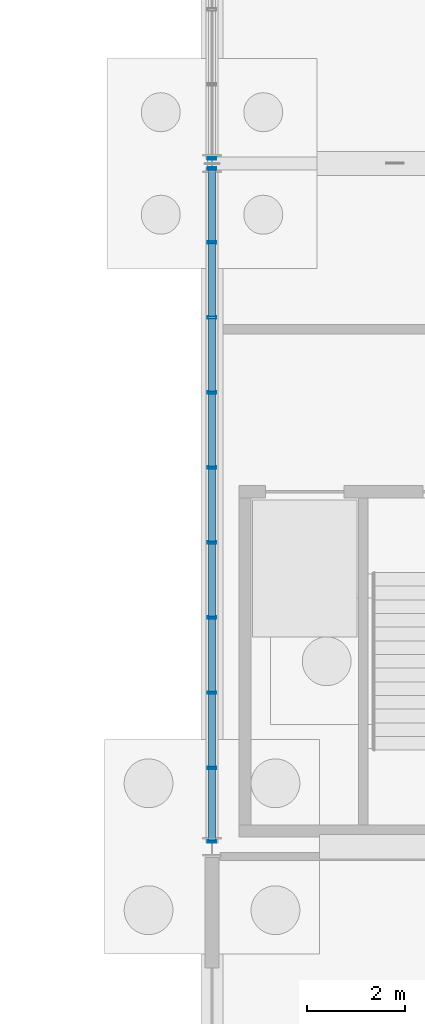
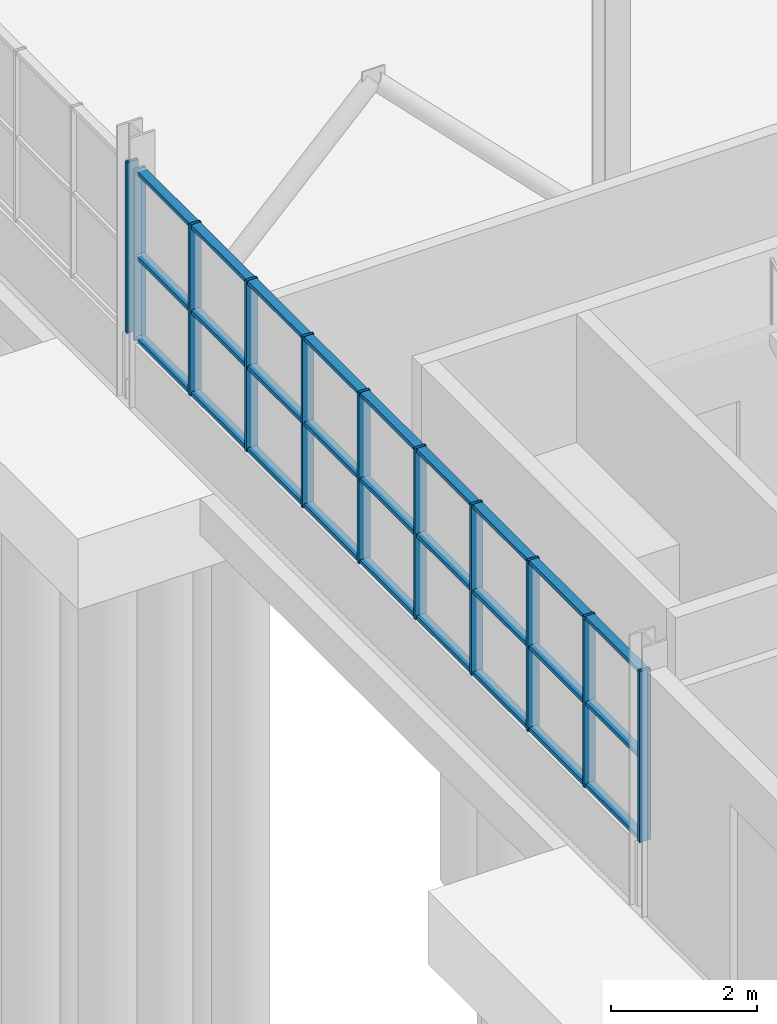
# One storey, part 43 of 136: 38 members, 2 elements without a shape of their own.
"""IFC4 building model written with IfcOpenShell, lengths in metres."""

from ifc_helpers import new_model, si_unit, direction, frame, origin, origin_2d, place, context, subcontext, project, spatial, hollow_rectangle, extrude, material, layer, layer_set, material_profile, profile_set, type_object, element, aggregate, save


model = new_model("IFC4")

# Units and contexts
model_context = context("Model", 3, precision=1e-05, world=origin(), true_north=direction((0.0, 1.0)))
body_context = subcontext(model_context, "Body", "Model", "MODEL_VIEW")
ifc_project = project(units=[si_unit("LENGTHUNIT", "METRE"), si_unit("AREAUNIT", "SQUARE_METRE"), si_unit("VOLUMEUNIT", "CUBIC_METRE"), si_unit("PLANEANGLEUNIT", "RADIAN"), si_unit("MASSUNIT", "GRAM", prefix="KILO")], contexts=[model_context])

# Site, building, storey
site_placement = place(None, origin())
site = spatial("IfcSite", under=ifc_project, at=site_placement, CompositionType="ELEMENT")
building_placement = place(site_placement, origin())
building = spatial("IfcBuilding", under=site, at=building_placement, Name="Solvenia Promenade Tram Depot", CompositionType="ELEMENT")
storey_placement = place(building_placement, origin())
storey = spatial("IfcBuildingStorey", under=building, at=storey_placement, Name="L00", CompositionType="ELEMENT", Elevation=0.0)

# Curtain wall, members
ifc_material = material(Name="Anodized aluminium AW-6063 T6", Category="aluminium")
ifc_layer = layer(ifc_material, 0.14990234375, Name="Anodized aluminium AW-6063 T6", Category="aluminium")
ifc_layer_set = layer_set([ifc_layer], Name="Anodized aluminium AW-6063 T6")
curtain_wall_type = type_object("IfcCurtainWallType", Name="CW-Court-1500", PredefinedType="NOTDEFINED", material=ifc_layer_set)
curtain_wall_1_placement = place(storey_placement, origin())
curtain_wall_1 = element("IfcCurtainWall", 1, at=curtain_wall_1_placement, inside=storey, type_object=curtain_wall_type, Name="Curtain Wall CW-V2W-L0-1", PredefinedType="NOTDEFINED")
ifc_material_profile_1 = material_profile(ifc_material, hollow_rectangle(XDim=0.179931640625, YDim=0.050048828125, WallThickness=0.00390625, at=origin_2d()), Name="ALU-M2", Category="aluminium")
ifc_profile_set_1 = profile_set([ifc_material_profile_1], Name="Anodized aluminium AW-6063 T6")
member_type_1 = type_object("IfcMemberType", Name="CWM-Mullion-2", PredefinedType="MULLION", material=ifc_profile_set_1)
member_1_placement = place(storey_placement, frame((105.0, 38.10498046875, 1.050048828125), z_axis=(0.0, 0.0, 1.0), x_axis=(-1.0, 0.0, 0.0)))
member_1 = element("IfcMember", 2, at=member_1_placement, type_object=member_type_1, Name="CW-5 mullion 1", PredefinedType="MULLION", context=body_context, shape_type="SweptSolid", body=[
    extrude(hollow_rectangle(XDim=0.179931640625, YDim=0.050048828125, WallThickness=0.00390625, at=origin_2d()), origin(), (0.0, 0.0, 1.0), 2.849853515625),
])
member_2_placement = place(storey_placement, frame((105.0, 39.61767578125, 1.050048828125), z_axis=(0.0, 0.0, 1.0), x_axis=(-1.0, 0.0, 0.0)))
member_2 = element("IfcMember", 3, at=member_2_placement, type_object=member_type_1, Name="CW-5 mullion 2", PredefinedType="MULLION", context=body_context, shape_type="SweptSolid", body=[
    extrude(hollow_rectangle(XDim=0.179931640625, YDim=0.050048828125, WallThickness=0.00390625, at=origin_2d()), origin(), (0.0, 0.0, 1.0), 2.849853515625),
])
member_3_placement = place(storey_placement, frame((105.0, 41.155517578125, 1.050048828125), z_axis=(0.0, 0.0, 1.0), x_axis=(-1.0, 0.0, 0.0)))
member_3 = element("IfcMember", 4, at=member_3_placement, type_object=member_type_1, Name="CW-5 mullion 3", PredefinedType="MULLION", context=body_context, shape_type="SweptSolid", body=[
    extrude(hollow_rectangle(XDim=0.179931640625, YDim=0.050048828125, WallThickness=0.00390625, at=origin_2d()), origin(), (0.0, 0.0, 1.0), 2.849853515625),
])
member_4_placement = place(storey_placement, frame((105.0, 42.693359375, 1.050048828125), z_axis=(0.0, 0.0, 1.0), x_axis=(-1.0, 0.0, 0.0)))
member_4 = element("IfcMember", 5, at=member_4_placement, type_object=member_type_1, Name="CW-5 mullion 4", PredefinedType="MULLION", context=body_context, shape_type="SweptSolid", body=[
    extrude(hollow_rectangle(XDim=0.179931640625, YDim=0.050048828125, WallThickness=0.00390625, at=origin_2d()), origin(), (0.0, 0.0, 1.0), 2.849853515625),
])
member_5_placement = place(storey_placement, frame((105.0, 44.231201171875, 1.050048828125), z_axis=(0.0, 0.0, 1.0), x_axis=(-1.0, 0.0, 0.0)))
member_5 = element("IfcMember", 6, at=member_5_placement, type_object=member_type_1, Name="CW-5 mullion 5", PredefinedType="MULLION", context=body_context, shape_type="SweptSolid", body=[
    extrude(hollow_rectangle(XDim=0.179931640625, YDim=0.050048828125, WallThickness=0.00390625, at=origin_2d()), origin(), (0.0, 0.0, 1.0), 2.849853515625),
])
member_6_placement = place(storey_placement, frame((105.0, 45.768798828125, 1.050048828125), z_axis=(0.0, 0.0, 1.0), x_axis=(-1.0, 0.0, 0.0)))
member_6 = element("IfcMember", 7, at=member_6_placement, type_object=member_type_1, Name="CW-5 mullion 6", PredefinedType="MULLION", context=body_context, shape_type="SweptSolid", body=[
    extrude(hollow_rectangle(XDim=0.179931640625, YDim=0.050048828125, WallThickness=0.00390625, at=origin_2d()), origin(), (0.0, 0.0, 1.0), 2.849853515625),
])
member_7_placement = place(storey_placement, frame((105.0, 47.306640625, 1.050048828125), z_axis=(0.0, 0.0, 1.0), x_axis=(-1.0, 0.0, 0.0)))
member_7 = element("IfcMember", 8, at=member_7_placement, type_object=member_type_1, Name="CW-5 mullion 7", PredefinedType="MULLION", context=body_context, shape_type="SweptSolid", body=[
    extrude(hollow_rectangle(XDim=0.179931640625, YDim=0.050048828125, WallThickness=0.00390625, at=origin_2d()), origin(), (0.0, 0.0, 1.0), 2.849853515625),
])
member_8_placement = place(storey_placement, frame((105.0, 48.844482421875, 1.050048828125), z_axis=(0.0, 0.0, 1.0), x_axis=(-1.0, 0.0, 0.0)))
member_8 = element("IfcMember", 9, at=member_8_placement, type_object=member_type_1, Name="CW-5 mullion 8", PredefinedType="MULLION", context=body_context, shape_type="SweptSolid", body=[
    extrude(hollow_rectangle(XDim=0.179931640625, YDim=0.050048828125, WallThickness=0.00390625, at=origin_2d()), origin(), (0.0, 0.0, 1.0), 2.849853515625),
])
member_9_placement = place(storey_placement, frame((105.0, 50.38232421875, 1.050048828125), z_axis=(0.0, 0.0, 1.0), x_axis=(-1.0, 0.0, 0.0)))
member_9 = element("IfcMember", 10, at=member_9_placement, type_object=member_type_1, Name="CW-5 mullion 9", PredefinedType="MULLION", context=body_context, shape_type="SweptSolid", body=[
    extrude(hollow_rectangle(XDim=0.179931640625, YDim=0.050048828125, WallThickness=0.00390625, at=origin_2d()), origin(), (0.0, 0.0, 1.0), 2.849853515625),
])
member_10_placement = place(storey_placement, frame((105.0, 51.89501953125, 1.050048828125), z_axis=(0.0, 0.0, 1.0), x_axis=(-1.0, 0.0, 0.0)))
member_10 = element("IfcMember", 11, at=member_10_placement, type_object=member_type_1, Name="CW-5 mullion 10", PredefinedType="MULLION", context=body_context, shape_type="SweptSolid", body=[
    extrude(hollow_rectangle(XDim=0.179931640625, YDim=0.050048828125, WallThickness=0.00390625, at=origin_2d()), origin(), (0.0, 0.0, 1.0), 2.849853515625),
])

# Curtain wall, member
curtain_wall_2_placement = place(storey_placement, origin())
curtain_wall_2 = element("IfcCurtainWall", 12, at=curtain_wall_2_placement, inside=storey, type_object=curtain_wall_type, Name="Curtain Wall CW-V2W-L0-2", PredefinedType="NOTDEFINED")
member_11_placement = place(storey_placement, frame((105.0, 52.10498046875, 1.050048828125), z_axis=(0.0, 0.0, 1.0), x_axis=(-1.0, 0.0, 0.0)))
member_11 = element("IfcMember", 13, at=member_11_placement, type_object=member_type_1, Name="CW-5 mullion 1", PredefinedType="MULLION", context=body_context, shape_type="SweptSolid", body=[
    extrude(hollow_rectangle(XDim=0.179931640625, YDim=0.050048828125, WallThickness=0.00390625, at=origin_2d()), origin(), (0.0, 0.0, 1.0), 2.849853515625),
])
aggregate(curtain_wall_2, [member_11])

# Member
ifc_material_profile_2 = material_profile(ifc_material, hollow_rectangle(XDim=0.139892578125, YDim=0.06494140625, WallThickness=0.00390625, at=origin_2d()), Name="ALU-T2", Category="aluminium")
ifc_profile_set_2 = profile_set([ifc_material_profile_2], Name="Anodized aluminium AW-6063 T6")
member_type_2 = type_object("IfcMemberType", Name="CWT-Transom-2", PredefinedType="USERDEFINED", material=ifc_profile_set_2)
member_12_placement = place(storey_placement, frame((105.0, 38.1298828125, 1.08251953125), z_axis=(0.0, 1.0, 0.0), x_axis=(-1.0, 0.0, 0.0)))
member_12 = element("IfcMember", 14, at=member_12_placement, type_object=member_type_2, Name="CW-5 transom 1.1", ObjectType="TRANSOM", PredefinedType="USERDEFINED", context=body_context, shape_type="SweptSolid", body=[
    extrude(hollow_rectangle(XDim=0.139892578125, YDim=0.06494140625, WallThickness=0.00390625, at=origin_2d()), origin(), (0.0, 0.0, 1.0), 1.462890625),
])

member_13_placement = place(storey_placement, frame((105.0, 38.1298828125, 2.449951171875), z_axis=(0.0, 1.0, 0.0), x_axis=(-1.0, 0.0, 0.0)))
member_13 = element("IfcMember", 15, at=member_13_placement, type_object=member_type_2, Name="CW-5 transom 1.2", ObjectType="TRANSOM", PredefinedType="USERDEFINED", context=body_context, shape_type="SweptSolid", body=[
    extrude(hollow_rectangle(XDim=0.139892578125, YDim=0.06494140625, WallThickness=0.00390625, at=origin_2d()), origin(), (0.0, 0.0, 1.0), 1.462890625),
])

member_14_placement = place(storey_placement, frame((105.0, 38.1298828125, 3.867431640625), z_axis=(0.0, 1.0, 0.0), x_axis=(-1.0, 0.0, 0.0)))
member_14 = element("IfcMember", 16, at=member_14_placement, type_object=member_type_2, Name="CW-5 transom 1.3", ObjectType="TRANSOM", PredefinedType="USERDEFINED", context=body_context, shape_type="SweptSolid", body=[
    extrude(hollow_rectangle(XDim=0.139892578125, YDim=0.06494140625, WallThickness=0.00390625, at=origin_2d()), origin(), (0.0, 0.0, 1.0), 1.462890625),
])

member_15_placement = place(storey_placement, frame((105.0, 39.642822265625, 1.08251953125), z_axis=(0.0, 1.0, 0.0), x_axis=(-1.0, 0.0, 0.0)))
member_15 = element("IfcMember", 17, at=member_15_placement, type_object=member_type_2, Name="CW-5 transom 2.1", ObjectType="TRANSOM", PredefinedType="USERDEFINED", context=body_context, shape_type="SweptSolid", body=[
    extrude(hollow_rectangle(XDim=0.139892578125, YDim=0.06494140625, WallThickness=0.00390625, at=origin_2d()), origin(), (0.0, 0.0, 1.0), 1.48779296875),
])

member_16_placement = place(storey_placement, frame((105.0, 39.642822265625, 2.449951171875), z_axis=(0.0, 1.0, 0.0), x_axis=(-1.0, 0.0, 0.0)))
member_16 = element("IfcMember", 18, at=member_16_placement, type_object=member_type_2, Name="CW-5 transom 2.2", ObjectType="TRANSOM", PredefinedType="USERDEFINED", context=body_context, shape_type="SweptSolid", body=[
    extrude(hollow_rectangle(XDim=0.139892578125, YDim=0.06494140625, WallThickness=0.00390625, at=origin_2d()), origin(), (0.0, 0.0, 1.0), 1.48779296875),
])

member_17_placement = place(storey_placement, frame((105.0, 39.642822265625, 3.867431640625), z_axis=(0.0, 1.0, 0.0), x_axis=(-1.0, 0.0, 0.0)))
member_17 = element("IfcMember", 19, at=member_17_placement, type_object=member_type_2, Name="CW-5 transom 2.3", ObjectType="TRANSOM", PredefinedType="USERDEFINED", context=body_context, shape_type="SweptSolid", body=[
    extrude(hollow_rectangle(XDim=0.139892578125, YDim=0.06494140625, WallThickness=0.00390625, at=origin_2d()), origin(), (0.0, 0.0, 1.0), 1.48779296875),
])

member_18_placement = place(storey_placement, frame((105.0, 41.1806640625, 1.08251953125), z_axis=(0.0, 1.0, 0.0), x_axis=(-1.0, 0.0, 0.0)))
member_18 = element("IfcMember", 20, at=member_18_placement, type_object=member_type_2, Name="CW-5 transom 3.1", ObjectType="TRANSOM", PredefinedType="USERDEFINED", context=body_context, shape_type="SweptSolid", body=[
    extrude(hollow_rectangle(XDim=0.139892578125, YDim=0.06494140625, WallThickness=0.00390625, at=origin_2d()), origin(), (0.0, 0.0, 1.0), 1.487548828125),
])

member_19_placement = place(storey_placement, frame((105.0, 41.1806640625, 2.449951171875), z_axis=(0.0, 1.0, 0.0), x_axis=(-1.0, 0.0, 0.0)))
member_19 = element("IfcMember", 21, at=member_19_placement, type_object=member_type_2, Name="CW-5 transom 3.2", ObjectType="TRANSOM", PredefinedType="USERDEFINED", context=body_context, shape_type="SweptSolid", body=[
    extrude(hollow_rectangle(XDim=0.139892578125, YDim=0.06494140625, WallThickness=0.00390625, at=origin_2d()), origin(), (0.0, 0.0, 1.0), 1.487548828125),
])

member_20_placement = place(storey_placement, frame((105.0, 41.1806640625, 3.867431640625), z_axis=(0.0, 1.0, 0.0), x_axis=(-1.0, 0.0, 0.0)))
member_20 = element("IfcMember", 22, at=member_20_placement, type_object=member_type_2, Name="CW-5 transom 3.3", ObjectType="TRANSOM", PredefinedType="USERDEFINED", context=body_context, shape_type="SweptSolid", body=[
    extrude(hollow_rectangle(XDim=0.139892578125, YDim=0.06494140625, WallThickness=0.00390625, at=origin_2d()), origin(), (0.0, 0.0, 1.0), 1.487548828125),
])

member_21_placement = place(storey_placement, frame((105.0, 42.71826171875, 1.08251953125), z_axis=(0.0, 1.0, 0.0), x_axis=(-1.0, 0.0, 0.0)))
member_21 = element("IfcMember", 23, at=member_21_placement, type_object=member_type_2, Name="CW-5 transom 4.1", ObjectType="TRANSOM", PredefinedType="USERDEFINED", context=body_context, shape_type="SweptSolid", body=[
    extrude(hollow_rectangle(XDim=0.139892578125, YDim=0.06494140625, WallThickness=0.00390625, at=origin_2d()), origin(), (0.0, 0.0, 1.0), 1.48779296875),
])

member_22_placement = place(storey_placement, frame((105.0, 42.71826171875, 2.449951171875), z_axis=(0.0, 1.0, 0.0), x_axis=(-1.0, 0.0, 0.0)))
member_22 = element("IfcMember", 24, at=member_22_placement, type_object=member_type_2, Name="CW-5 transom 4.2", ObjectType="TRANSOM", PredefinedType="USERDEFINED", context=body_context, shape_type="SweptSolid", body=[
    extrude(hollow_rectangle(XDim=0.139892578125, YDim=0.06494140625, WallThickness=0.00390625, at=origin_2d()), origin(), (0.0, 0.0, 1.0), 1.48779296875),
])

member_23_placement = place(storey_placement, frame((105.0, 42.71826171875, 3.867431640625), z_axis=(0.0, 1.0, 0.0), x_axis=(-1.0, 0.0, 0.0)))
member_23 = element("IfcMember", 25, at=member_23_placement, type_object=member_type_2, Name="CW-5 transom 4.3", ObjectType="TRANSOM", PredefinedType="USERDEFINED", context=body_context, shape_type="SweptSolid", body=[
    extrude(hollow_rectangle(XDim=0.139892578125, YDim=0.06494140625, WallThickness=0.00390625, at=origin_2d()), origin(), (0.0, 0.0, 1.0), 1.48779296875),
])

member_24_placement = place(storey_placement, frame((105.0, 44.256103515625, 1.08251953125), z_axis=(0.0, 1.0, 0.0), x_axis=(-1.0, 0.0, 0.0)))
member_24 = element("IfcMember", 26, at=member_24_placement, type_object=member_type_2, Name="CW-5 transom 5.1", ObjectType="TRANSOM", PredefinedType="USERDEFINED", context=body_context, shape_type="SweptSolid", body=[
    extrude(hollow_rectangle(XDim=0.139892578125, YDim=0.06494140625, WallThickness=0.00390625, at=origin_2d()), origin(), (0.0, 0.0, 1.0), 1.48779296875),
])

member_25_placement = place(storey_placement, frame((105.0, 44.256103515625, 2.449951171875), z_axis=(0.0, 1.0, 0.0), x_axis=(-1.0, 0.0, 0.0)))
member_25 = element("IfcMember", 27, at=member_25_placement, type_object=member_type_2, Name="CW-5 transom 5.2", ObjectType="TRANSOM", PredefinedType="USERDEFINED", context=body_context, shape_type="SweptSolid", body=[
    extrude(hollow_rectangle(XDim=0.139892578125, YDim=0.06494140625, WallThickness=0.00390625, at=origin_2d()), origin(), (0.0, 0.0, 1.0), 1.48779296875),
])

member_26_placement = place(storey_placement, frame((105.0, 44.256103515625, 3.867431640625), z_axis=(0.0, 1.0, 0.0), x_axis=(-1.0, 0.0, 0.0)))
member_26 = element("IfcMember", 28, at=member_26_placement, type_object=member_type_2, Name="CW-5 transom 5.3", ObjectType="TRANSOM", PredefinedType="USERDEFINED", context=body_context, shape_type="SweptSolid", body=[
    extrude(hollow_rectangle(XDim=0.139892578125, YDim=0.06494140625, WallThickness=0.00390625, at=origin_2d()), origin(), (0.0, 0.0, 1.0), 1.48779296875),
])

member_27_placement = place(storey_placement, frame((105.0, 45.7939453125, 1.08251953125), z_axis=(0.0, 1.0, 0.0), x_axis=(-1.0, 0.0, 0.0)))
member_27 = element("IfcMember", 29, at=member_27_placement, type_object=member_type_2, Name="CW-5 transom 6.1", ObjectType="TRANSOM", PredefinedType="USERDEFINED", context=body_context, shape_type="SweptSolid", body=[
    extrude(hollow_rectangle(XDim=0.139892578125, YDim=0.06494140625, WallThickness=0.00390625, at=origin_2d()), origin(), (0.0, 0.0, 1.0), 1.48779296875),
])

member_28_placement = place(storey_placement, frame((105.0, 45.7939453125, 2.449951171875), z_axis=(0.0, 1.0, 0.0), x_axis=(-1.0, 0.0, 0.0)))
member_28 = element("IfcMember", 30, at=member_28_placement, type_object=member_type_2, Name="CW-5 transom 6.2", ObjectType="TRANSOM", PredefinedType="USERDEFINED", context=body_context, shape_type="SweptSolid", body=[
    extrude(hollow_rectangle(XDim=0.139892578125, YDim=0.06494140625, WallThickness=0.00390625, at=origin_2d()), origin(), (0.0, 0.0, 1.0), 1.48779296875),
])

member_29_placement = place(storey_placement, frame((105.0, 45.7939453125, 3.867431640625), z_axis=(0.0, 1.0, 0.0), x_axis=(-1.0, 0.0, 0.0)))
member_29 = element("IfcMember", 31, at=member_29_placement, type_object=member_type_2, Name="CW-5 transom 6.3", ObjectType="TRANSOM", PredefinedType="USERDEFINED", context=body_context, shape_type="SweptSolid", body=[
    extrude(hollow_rectangle(XDim=0.139892578125, YDim=0.06494140625, WallThickness=0.00390625, at=origin_2d()), origin(), (0.0, 0.0, 1.0), 1.48779296875),
])

member_30_placement = place(storey_placement, frame((105.0, 47.331787109375, 1.08251953125), z_axis=(0.0, 1.0, 0.0), x_axis=(-1.0, 0.0, 0.0)))
member_30 = element("IfcMember", 32, at=member_30_placement, type_object=member_type_2, Name="CW-5 transom 7.1", ObjectType="TRANSOM", PredefinedType="USERDEFINED", context=body_context, shape_type="SweptSolid", body=[
    extrude(hollow_rectangle(XDim=0.139892578125, YDim=0.06494140625, WallThickness=0.00390625, at=origin_2d()), origin(), (0.0, 0.0, 1.0), 1.487548828125),
])

member_31_placement = place(storey_placement, frame((105.0, 47.331787109375, 2.449951171875), z_axis=(0.0, 1.0, 0.0), x_axis=(-1.0, 0.0, 0.0)))
member_31 = element("IfcMember", 33, at=member_31_placement, type_object=member_type_2, Name="CW-5 transom 7.2", ObjectType="TRANSOM", PredefinedType="USERDEFINED", context=body_context, shape_type="SweptSolid", body=[
    extrude(hollow_rectangle(XDim=0.139892578125, YDim=0.06494140625, WallThickness=0.00390625, at=origin_2d()), origin(), (0.0, 0.0, 1.0), 1.487548828125),
])

member_32_placement = place(storey_placement, frame((105.0, 47.331787109375, 3.867431640625), z_axis=(0.0, 1.0, 0.0), x_axis=(-1.0, 0.0, 0.0)))
member_32 = element("IfcMember", 34, at=member_32_placement, type_object=member_type_2, Name="CW-5 transom 7.3", ObjectType="TRANSOM", PredefinedType="USERDEFINED", context=body_context, shape_type="SweptSolid", body=[
    extrude(hollow_rectangle(XDim=0.139892578125, YDim=0.06494140625, WallThickness=0.00390625, at=origin_2d()), origin(), (0.0, 0.0, 1.0), 1.487548828125),
])

member_33_placement = place(storey_placement, frame((105.0, 48.869384765625, 1.08251953125), z_axis=(0.0, 1.0, 0.0), x_axis=(-1.0, 0.0, 0.0)))
member_33 = element("IfcMember", 35, at=member_33_placement, type_object=member_type_2, Name="CW-5 transom 8.1", ObjectType="TRANSOM", PredefinedType="USERDEFINED", context=body_context, shape_type="SweptSolid", body=[
    extrude(hollow_rectangle(XDim=0.139892578125, YDim=0.06494140625, WallThickness=0.00390625, at=origin_2d()), origin(), (0.0, 0.0, 1.0), 1.48779296875),
])

member_34_placement = place(storey_placement, frame((105.0, 48.869384765625, 2.449951171875), z_axis=(0.0, 1.0, 0.0), x_axis=(-1.0, 0.0, 0.0)))
member_34 = element("IfcMember", 36, at=member_34_placement, type_object=member_type_2, Name="CW-5 transom 8.2", ObjectType="TRANSOM", PredefinedType="USERDEFINED", context=body_context, shape_type="SweptSolid", body=[
    extrude(hollow_rectangle(XDim=0.139892578125, YDim=0.06494140625, WallThickness=0.00390625, at=origin_2d()), origin(), (0.0, 0.0, 1.0), 1.48779296875),
])

member_35_placement = place(storey_placement, frame((105.0, 48.869384765625, 3.867431640625), z_axis=(0.0, 1.0, 0.0), x_axis=(-1.0, 0.0, 0.0)))
member_35 = element("IfcMember", 37, at=member_35_placement, type_object=member_type_2, Name="CW-5 transom 8.3", ObjectType="TRANSOM", PredefinedType="USERDEFINED", context=body_context, shape_type="SweptSolid", body=[
    extrude(hollow_rectangle(XDim=0.139892578125, YDim=0.06494140625, WallThickness=0.00390625, at=origin_2d()), origin(), (0.0, 0.0, 1.0), 1.48779296875),
])

member_36_placement = place(storey_placement, frame((105.0, 50.4072265625, 1.08251953125), z_axis=(0.0, 1.0, 0.0), x_axis=(-1.0, 0.0, 0.0)))
member_36 = element("IfcMember", 38, at=member_36_placement, type_object=member_type_2, Name="CW-5 transom 9.1", ObjectType="TRANSOM", PredefinedType="USERDEFINED", context=body_context, shape_type="SweptSolid", body=[
    extrude(hollow_rectangle(XDim=0.139892578125, YDim=0.06494140625, WallThickness=0.00390625, at=origin_2d()), origin(), (0.0, 0.0, 1.0), 1.462890625),
])

member_37_placement = place(storey_placement, frame((105.0, 50.4072265625, 2.449951171875), z_axis=(0.0, 1.0, 0.0), x_axis=(-1.0, 0.0, 0.0)))
member_37 = element("IfcMember", 39, at=member_37_placement, type_object=member_type_2, Name="CW-5 transom 9.2", ObjectType="TRANSOM", PredefinedType="USERDEFINED", context=body_context, shape_type="SweptSolid", body=[
    extrude(hollow_rectangle(XDim=0.139892578125, YDim=0.06494140625, WallThickness=0.00390625, at=origin_2d()), origin(), (0.0, 0.0, 1.0), 1.462890625),
])

member_38_placement = place(storey_placement, frame((105.0, 50.4072265625, 3.867431640625), z_axis=(0.0, 1.0, 0.0), x_axis=(-1.0, 0.0, 0.0)))
member_38 = element("IfcMember", 40, at=member_38_placement, type_object=member_type_2, Name="CW-5 transom 9.3", ObjectType="TRANSOM", PredefinedType="USERDEFINED", context=body_context, shape_type="SweptSolid", body=[
    extrude(hollow_rectangle(XDim=0.139892578125, YDim=0.06494140625, WallThickness=0.00390625, at=origin_2d()), origin(), (0.0, 0.0, 1.0), 1.462890625),
])

aggregate(curtain_wall_1, [member_1, member_2, member_3, member_4, member_5, member_6, member_7, member_8, member_9, member_10, member_12, member_13, member_14, member_15, member_16, member_17, member_18, member_19, member_20, member_21, member_22, member_23, member_24, member_25, member_26, member_27, member_28, member_29, member_30, member_31, member_32, member_33, member_34, member_35, member_36, member_37, member_38])

save(model, "model.ifc")
